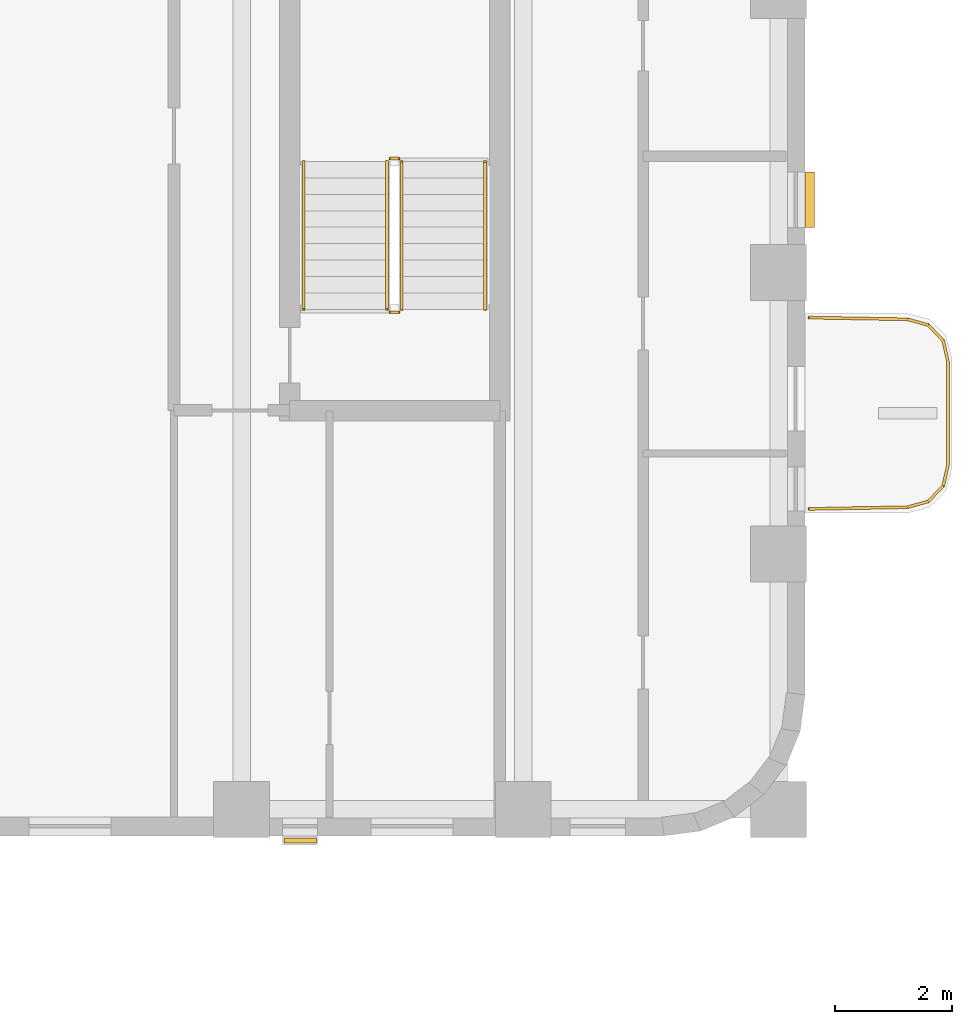
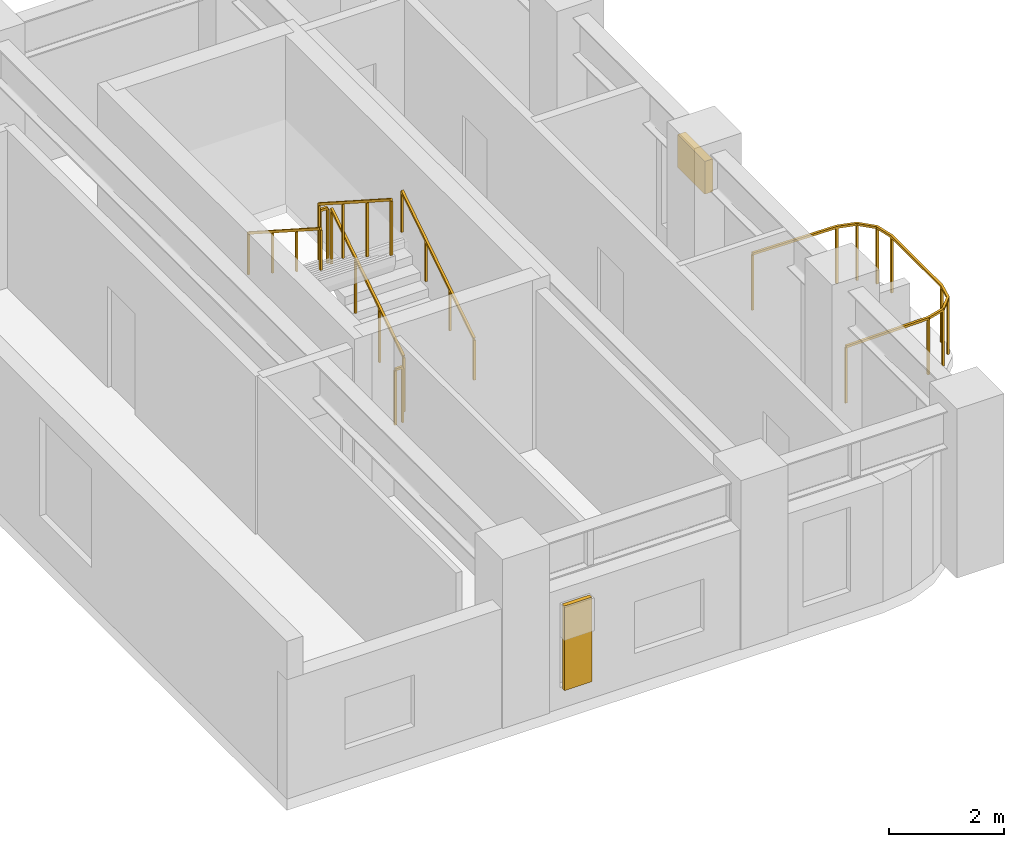
# One storey, part 10 of 11: 7 railings, 2 shading devices.
"""IFC4 building model written with IfcOpenShell, lengths in metres."""

from ifc_helpers import new_model, si_unit, direction, frame, origin, origin_2d, place, context, subcontext, project, spatial, rectangle, extrude, material, type_object, element, save


model = new_model("IFC4")

# Units and contexts
model_context = context("Model", 3, precision=1e-05, world=origin(), true_north=direction((0.0, 1.0)))
body_context = subcontext(model_context, "Body", "Model", "MODEL_VIEW")
ifc_project = project(units=[si_unit("LENGTHUNIT", "METRE"), si_unit("AREAUNIT", "SQUARE_METRE"), si_unit("VOLUMEUNIT", "CUBIC_METRE"), si_unit("PLANEANGLEUNIT", "RADIAN"), si_unit("MASSUNIT", "GRAM", prefix="KILO")], contexts=[model_context])

# Site, building, storey
site_placement = place(None, origin())
site = spatial("IfcSite", under=ifc_project, at=site_placement, CompositionType="ELEMENT")
building_placement = place(site_placement, origin())
building = spatial("IfcBuilding", under=site, at=building_placement, Name="Orvandelia Arch Residences", CompositionType="ELEMENT")
storey_placement = place(building_placement, frame((0.0, 0.0, 175.60009765625)))
storey = spatial("IfcBuildingStorey", under=building, at=storey_placement, Name="L46", CompositionType="ELEMENT", Elevation=175.60009765625)

# Railings
ifc_material_1 = material(Name="Marine-Grade Stainless Steel 316", Category="steel")
railing_type_1 = type_object("IfcRailingType", Name="GRD-BAL-1200", PredefinedType="BALUSTRADE", material=ifc_material_1)
railing_1_placement = place(storey_placement, frame((52.871826171875, 34.36962890625, 0.0)))
element("IfcRailing", 1, at=railing_1_placement, inside=storey, type_object=railing_type_1, Name="Safety Balustrade Guard GRD-L46-BAL-L46-E1-1", PredefinedType="BALUSTRADE", context=body_context, shape_type="SweptSolid", body=[
    extrude(rectangle(XDim=0.048095703125, YDim=0.048095703125, at=origin_2d()), frame((0.0, 0.0, 1.19580078125), z_axis=(0.999837384468, 0.018033430643, 0.0), x_axis=(-0.018033430643, 0.999837384468, 0.0)), (0.0, 0.0, 1.0), 1.6787109375),
    extrude(rectangle(XDim=0.048095703125, YDim=0.048095703125, at=origin_2d()), frame((1.678466796875, 0.0302734375, 1.19580078125), z_axis=(0.96348920644, 0.267747173792, 0.0), x_axis=(-0.267747173792, 0.96348920644, 0.0)), (0.0, 0.0, 1.0), 0.36572265625),
    extrude(rectangle(XDim=0.048095703125, YDim=0.048095703125, at=origin_2d()), frame((2.03076171875, 0.128173828125, 1.19580078125), z_axis=(0.687947031175, 0.725760898848, 0.0), x_axis=(-0.725760898848, 0.687947031175, 0.0)), (0.0, 0.0, 1.0), 0.367919921875),
    extrude(rectangle(XDim=0.048095703125, YDim=0.048095703125, at=origin_2d()), frame((2.283935546875, 0.395263671875, 1.19580078125), z_axis=(0.221225034864, 0.975222786828, 0.0), x_axis=(-0.975222786828, 0.221225034864, 0.0)), (0.0, 0.0, 1.0), 0.373046875),
    extrude(rectangle(XDim=0.048095703125, YDim=0.048095703125, at=origin_2d()), frame((2.366455078125, 0.759033203125, 1.19580078125), z_axis=(0.0, 1.0, 0.0), x_axis=(-1.0, 0.0, 0.0)), (0.0, 0.0, 1.0), 1.74267578125),
    extrude(rectangle(XDim=0.048095703125, YDim=0.048095703125, at=origin_2d()), frame((2.366455078125, 2.501708984375, 1.19580078125), z_axis=(-0.221225034864, 0.975222786828, 0.0), x_axis=(-0.975222786828, -0.221225034864, 0.0)), (0.0, 0.0, 1.0), 0.373046875),
    extrude(rectangle(XDim=0.048095703125, YDim=0.048095703125, at=origin_2d()), frame((2.283935546875, 2.865478515625, 1.19580078125), z_axis=(-0.687947031175, 0.725760898848, 0.0), x_axis=(-0.725760898848, -0.687947031175, 0.0)), (0.0, 0.0, 1.0), 0.367919921875),
    extrude(rectangle(XDim=0.048095703125, YDim=0.048095703125, at=origin_2d()), frame((2.03076171875, 3.132568359375, 1.19580078125), z_axis=(-0.96348920644, 0.267747173792, 0.0), x_axis=(-0.267747173792, -0.96348920644, 0.0)), (0.0, 0.0, 1.0), 0.36572265625),
    extrude(rectangle(XDim=0.048095703125, YDim=0.048095703125, at=origin_2d()), frame((1.678466796875, 3.23046875, 1.19580078125), z_axis=(-0.999837384468, 0.018033430643, 0.0), x_axis=(-0.018033430643, -0.999837384468, 0.0)), (0.0, 0.0, 1.0), 1.6787109375),
    extrude(rectangle(XDim=0.0419921875, YDim=0.0419921875, at=origin_2d()), origin(), (0.0, 0.0, 1.0), 1.171875),
    extrude(rectangle(XDim=0.0419921875, YDim=0.0419921875, at=origin_2d()), frame((1.678466796875, 0.0302734375, 0.0)), (0.0, 0.0, 1.0), 1.171875),
    extrude(rectangle(XDim=0.0419921875, YDim=0.0419921875, at=origin_2d()), frame((2.03076171875, 0.128173828125, 0.0)), (0.0, 0.0, 1.0), 1.171875),
    extrude(rectangle(XDim=0.0419921875, YDim=0.0419921875, at=origin_2d()), frame((2.283935546875, 0.395263671875, 0.0)), (0.0, 0.0, 1.0), 1.171875),
    extrude(rectangle(XDim=0.0419921875, YDim=0.0419921875, at=origin_2d()), frame((2.366455078125, 0.759033203125, 0.0)), (0.0, 0.0, 1.0), 1.171875),
    extrude(rectangle(XDim=0.0419921875, YDim=0.0419921875, at=origin_2d()), frame((2.366455078125, 2.501708984375, 0.0)), (0.0, 0.0, 1.0), 1.171875),
    extrude(rectangle(XDim=0.0419921875, YDim=0.0419921875, at=origin_2d()), frame((2.283935546875, 2.865478515625, 0.0)), (0.0, 0.0, 1.0), 1.171875),
    extrude(rectangle(XDim=0.0419921875, YDim=0.0419921875, at=origin_2d()), frame((2.03076171875, 3.132568359375, 0.0)), (0.0, 0.0, 1.0), 1.171875),
    extrude(rectangle(XDim=0.0419921875, YDim=0.0419921875, at=origin_2d()), frame((1.678466796875, 3.23046875, 0.0)), (0.0, 0.0, 1.0), 1.171875),
    extrude(rectangle(XDim=0.0419921875, YDim=0.0419921875, at=origin_2d()), frame((0.0, 3.2607421875, 0.0)), (0.0, 0.0, 1.0), 1.171875),
])
ifc_material_2 = material(Name="Brushed Stainless Steel 304", Category="steel")
railing_type_2 = type_object("IfcRailingType", Name="RL-STAIR-GD1120", PredefinedType="GUARDRAIL", material=ifc_material_2)
railing_2_placement = place(storey_placement, frame((45.929931640625, 37.77001953125, 0.179931640625)))
element("IfcRailing", 2, at=railing_2_placement, inside=storey, type_object=railing_type_2, Name="L46 ST-3 stair guard 1", PredefinedType="GUARDRAIL", context=body_context, shape_type="SweptSolid", body=[
    extrude(rectangle(XDim=0.048095703125, YDim=0.048095703125, at=origin_2d()), frame((0.0, 0.0, 1.17578125), z_axis=(0.0, 0.841199657755, 0.540724639528), x_axis=(-1.0, 0.0, 0.0)), (0.0, 0.0, 1.0), 2.995849609375),
    extrude(rectangle(XDim=0.0419921875, YDim=0.0419921875, at=origin_2d()), origin(), (0.0, 0.0, 1.0), 1.15185546875),
    extrude(rectangle(XDim=0.0419921875, YDim=0.0419921875, at=origin_2d()), frame((0.0, 0.840087890625, 0.5400390625)), (0.0, 0.0, 1.0), 1.15185546875),
    extrude(rectangle(XDim=0.0419921875, YDim=0.0419921875, at=origin_2d()), frame((0.0, 1.679931640625, 1.079833984375)), (0.0, 0.0, 1.0), 1.15185546875),
    extrude(rectangle(XDim=0.0419921875, YDim=0.0419921875, at=origin_2d()), frame((0.0, 2.52001953125, 1.619873046875)), (0.0, 0.0, 1.0), 1.15185546875),
])
railing_3_placement = place(storey_placement, frame((45.8798828125, 40.340087890625, 1.7998046875)))
element("IfcRailing", 3, at=railing_3_placement, inside=storey, type_object=railing_type_2, Name="L46 ST-3 stair guard 2", PredefinedType="GUARDRAIL", context=body_context, shape_type="SweptSolid", body=[
    extrude(rectangle(XDim=0.048095703125, YDim=0.048095703125, at=origin_2d()), frame((0.0, 0.0, 1.17578125), z_axis=(-1.0, 0.0, 0.0), x_axis=(0.0, -1.0, 0.0)), (0.0, 0.0, 1.0), 0.14990234375),
    extrude(rectangle(XDim=0.0419921875, YDim=0.0419921875, at=origin_2d()), origin(), (0.0, 0.0, 1.0), 1.15185546875),
    extrude(rectangle(XDim=0.0419921875, YDim=0.0419921875, at=origin_2d()), frame((-0.14990234375, 0.0, 0.0)), (0.0, 0.0, 1.0), 1.15185546875),
])
railing_4_placement = place(storey_placement, frame((45.679931640625, 40.2900390625, 1.97998046875)))
element("IfcRailing", 4, at=railing_4_placement, inside=storey, type_object=railing_type_2, Name="L46 ST-3 stair guard 3", PredefinedType="GUARDRAIL", context=body_context, shape_type="SweptSolid", body=[
    extrude(rectangle(XDim=0.048095703125, YDim=0.048095703125, at=origin_2d()), frame((0.0, 0.0, 1.17578125), z_axis=(0.0, -0.841199657755, 0.540724639528), x_axis=(1.0, 0.0, 0.0)), (0.0, 0.0, 1.0), 2.995849609375),
    extrude(rectangle(XDim=0.0419921875, YDim=0.0419921875, at=origin_2d()), origin(), (0.0, 0.0, 1.0), 1.15185546875),
    extrude(rectangle(XDim=0.0419921875, YDim=0.0419921875, at=origin_2d()), frame((0.0, -0.840087890625, 0.5400390625)), (0.0, 0.0, 1.0), 1.15185546875),
    extrude(rectangle(XDim=0.0419921875, YDim=0.0419921875, at=origin_2d()), frame((0.0, -1.679931640625, 1.079833984375)), (0.0, 0.0, 1.0), 1.15185546875),
    extrude(rectangle(XDim=0.0419921875, YDim=0.0419921875, at=origin_2d()), frame((0.0, -2.52001953125, 1.619873046875)), (0.0, 0.0, 1.0), 1.15185546875),
])
railing_5_placement = place(storey_placement, frame((45.8798828125, 37.719970703125, 0.0)))
element("IfcRailing", 5, at=railing_5_placement, inside=storey, type_object=railing_type_2, Name="L46 ST-3 stair guard 4", PredefinedType="GUARDRAIL", context=body_context, shape_type="SweptSolid", body=[
    extrude(rectangle(XDim=0.048095703125, YDim=0.048095703125, at=origin_2d()), frame((0.0, 0.0, 1.17578125), z_axis=(-1.0, 0.0, 0.0), x_axis=(0.0, -1.0, 0.0)), (0.0, 0.0, 1.0), 0.14990234375),
    extrude(rectangle(XDim=0.0419921875, YDim=0.0419921875, at=origin_2d()), origin(), (0.0, 0.0, 1.0), 1.15185546875),
    extrude(rectangle(XDim=0.0419921875, YDim=0.0419921875, at=origin_2d()), frame((-0.14990234375, 0.0, 0.0)), (0.0, 0.0, 1.0), 1.15185546875),
])
railing_type_3 = type_object("IfcRailingType", Name="RL-STAIR-HR920", PredefinedType="HANDRAIL", material=ifc_material_2)
railing_6_placement = place(storey_placement, frame((47.35009765625, 37.77001953125, 0.35986328125)))
element("IfcRailing", 6, at=railing_6_placement, inside=storey, type_object=railing_type_3, Name="L46 ST-3 stair handrail 1", PredefinedType="HANDRAIL", context=body_context, shape_type="SweptSolid", body=[
    extrude(rectangle(XDim=0.048095703125, YDim=0.048095703125, at=origin_2d()), frame((0.0, 0.0, 0.8759765625), z_axis=(0.0, 0.841162588446, 0.540782303519), x_axis=(-1.0, 0.0, 0.0)), (0.0, 0.0, 1.0), 2.995849609375),
    extrude(rectangle(XDim=0.0419921875, YDim=0.0419921875, at=origin_2d()), origin(), (0.0, 0.0, 1.0), 0.851806640625),
    extrude(rectangle(XDim=0.0419921875, YDim=0.0419921875, at=origin_2d()), frame((0.0, 0.840087890625, 0.5400390625)), (0.0, 0.0, 1.0), 0.851806640625),
    extrude(rectangle(XDim=0.0419921875, YDim=0.0419921875, at=origin_2d()), frame((0.0, 1.679931640625, 1.080078125)), (0.0, 0.0, 1.0), 0.851806640625),
    extrude(rectangle(XDim=0.0419921875, YDim=0.0419921875, at=origin_2d()), frame((0.0, 2.52001953125, 1.6201171875)), (0.0, 0.0, 1.0), 0.851806640625),
])
railing_7_placement = place(storey_placement, frame((44.260009765625, 40.2900390625, 2.159912109375)))
element("IfcRailing", 7, at=railing_7_placement, inside=storey, type_object=railing_type_3, Name="L46 ST-3 stair handrail 2", PredefinedType="HANDRAIL", context=body_context, shape_type="SweptSolid", body=[
    extrude(rectangle(XDim=0.048095703125, YDim=0.048095703125, at=origin_2d()), frame((0.0, 0.0, 0.8759765625), z_axis=(0.0, -0.841199657755, 0.540724639528), x_axis=(1.0, 0.0, 0.0)), (0.0, 0.0, 1.0), 2.995849609375),
    extrude(rectangle(XDim=0.0419921875, YDim=0.0419921875, at=origin_2d()), origin(), (0.0, 0.0, 1.0), 0.851806640625),
    extrude(rectangle(XDim=0.0419921875, YDim=0.0419921875, at=origin_2d()), frame((0.0, -0.840087890625, 0.5400390625)), (0.0, 0.0, 1.0), 0.851806640625),
    extrude(rectangle(XDim=0.0419921875, YDim=0.0419921875, at=origin_2d()), frame((0.0, -1.679931640625, 1.079833984375)), (0.0, 0.0, 1.0), 0.851806640625),
    extrude(rectangle(XDim=0.0419921875, YDim=0.0419921875, at=origin_2d()), frame((0.0, -2.52001953125, 1.619873046875)), (0.0, 0.0, 1.0), 0.851806640625),
])

# Shading devices
ifc_material_3 = material(Name="Anodised Champagne-Bronze Extruded Aluminium", Category="aluminium")
shading_device_type_1 = type_object("IfcShadingDeviceType", Name="SHD-JALOUSIE-SCREEN", PredefinedType="JALOUSIE", material=ifc_material_3)
shading_device_1_placement = place(storey_placement, frame((52.8798828125, 39.638916015625, 1.5498046875), z_axis=(0.0, 0.0, 1.0), x_axis=(0.0, -1.0, 0.0)))
element("IfcShadingDevice", 8, at=shading_device_1_placement, inside=storey, type_object=shading_device_type_1, Name="Bronze Jalousie Sun-Shade L46-002", PredefinedType="JALOUSIE", context=body_context, shape_type="SweptSolid", body=[
    extrude(rectangle(XDim=0.949951171875, YDim=0.159912109375, at=origin_2d()), origin(), (0.0, 0.0, 1.0), 0.699951171875),
])
ifc_material_4 = material(Name="Marine-Grade Perforated Aluminium Storm Shutter", Category="aluminium")
shading_device_type_2 = type_object("IfcShadingDeviceType", Name="SHD-STORM-SHUTTER", PredefinedType="SHUTTER", material=ifc_material_4)
shading_device_2_placement = place(storey_placement, frame((44.197509765625, 28.719970703125, 0.44970703125), z_axis=(0.0, 0.0, 1.0), x_axis=(-1.0, 0.0, 0.0)))
element("IfcShadingDevice", 9, at=shading_device_2_placement, inside=storey, type_object=shading_device_type_2, Name="Operable Typhoon Storm Shutter L46-003", PredefinedType="SHUTTER", context=body_context, shape_type="SweptSolid", body=[
    extrude(rectangle(XDim=0.550048828125, YDim=0.080078125, at=origin_2d()), origin(), (0.0, 0.0, 1.0), 1.800048828125),
])

save(model, "model.ifc")
